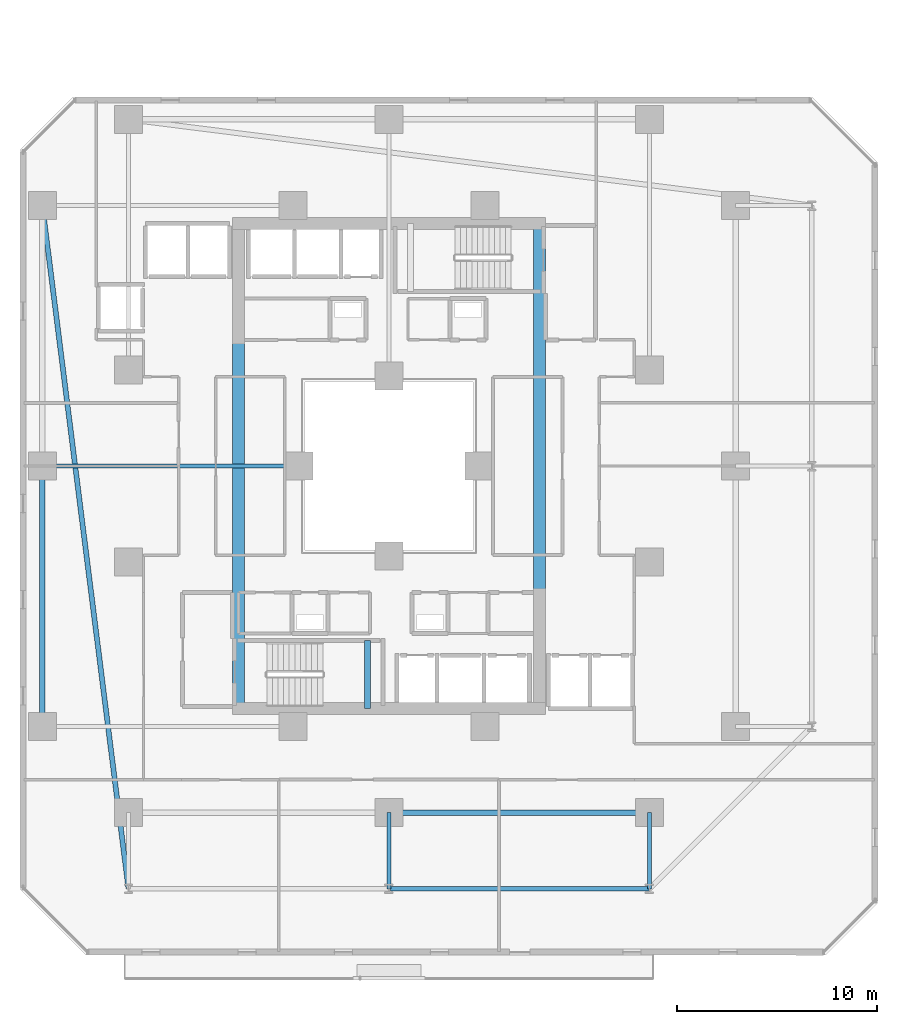
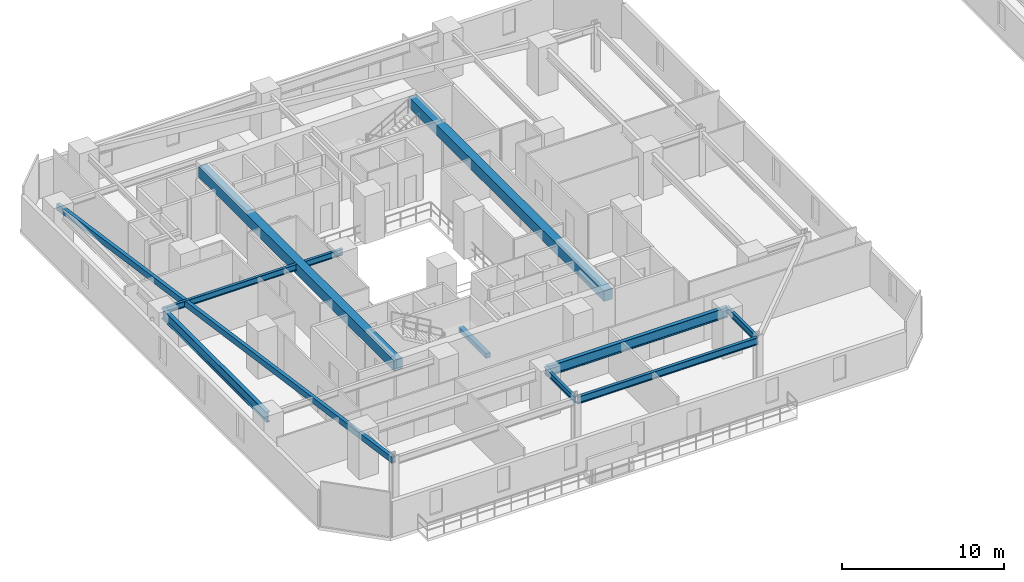
# One storey, part 4 of 34: 10 beams.
"""IFC4 building model written with IfcOpenShell, lengths in metres."""

from ifc_helpers import new_model, si_unit, direction, frame, origin, origin_2d, place, context, subcontext, project, spatial, rectangle, hollow_rectangle, i_section, extrude, material, material_profile, profile_set, type_object, element, save


model = new_model("IFC4")

# Units and contexts
model_context = context("Model", 3, precision=1e-05, world=origin(), true_north=direction((0.0, 1.0)))
body_context = subcontext(model_context, "Body", "Model", "MODEL_VIEW")
ifc_project = project(units=[si_unit("LENGTHUNIT", "METRE"), si_unit("AREAUNIT", "SQUARE_METRE"), si_unit("VOLUMEUNIT", "CUBIC_METRE"), si_unit("PLANEANGLEUNIT", "RADIAN"), si_unit("MASSUNIT", "GRAM", prefix="KILO")], contexts=[model_context])

# Site, building, storey
site_placement = place(None, origin())
site = spatial("IfcSite", under=ifc_project, at=site_placement, CompositionType="ELEMENT")
building_placement = place(site_placement, origin())
building = spatial("IfcBuilding", under=site, at=building_placement, Name="Thornwick Lancets Civic Towers", CompositionType="ELEMENT")
storey_placement = place(building_placement, frame((0.0, 0.0, 60.89990234375)))
storey = spatial("IfcBuildingStorey", under=building, at=storey_placement, Name="L15", CompositionType="ELEMENT", Elevation=60.89990234375)

# Beams
ifc_material_1 = material(Name="Concrete C60/75", Category="concrete")
ifc_material_profile_1 = material_profile(ifc_material_1, rectangle(XDim=0.60009765625, YDim=0.800048828125, at=origin_2d()), Name="RC 600x800")
ifc_profile_set_1 = profile_set([ifc_material_profile_1], Name="Concrete C60/75")
beam_type_1 = type_object("IfcBeamType", Name="BM_COUP_RC800", PredefinedType="BEAM", material=ifc_profile_set_1)
for number, where, z_axis, x_axis, name in (
    (1, (33.0, 14.89990234375, 2.960205078125), (0.0, 1.0, 0.0), (-1.0, 0.0, 0.0), "CB-L15-A1"),
    (2, (18.0, 14.89990234375, 2.960205078125), (0.0, 1.0, 0.0), (-1.0, 0.0, 0.0), "CB-L15-A2"),
):
    element("IfcBeam", number, at=place(storey_placement, frame(where, z_axis=z_axis, x_axis=x_axis)), inside=storey, type_object=beam_type_1, Name=name, PredefinedType="BEAM", context=body_context, shape_type="SweptSolid", body=[
        extrude(rectangle(XDim=0.60009765625, YDim=0.800048828125, at=origin_2d()), origin(), (0.0, 0.0, 1.0), 24.2001953125),
    ])
ifc_material_2 = material(Name="Steel S355JR", Category="steel")
ifc_material_profile_2 = material_profile(ifc_material_2, i_section(OverallWidth=0.2119140625, OverallDepth=0.54443359375, WebThickness=0.0126953125, FlangeThickness=0.021240234375, FilletRadius=0.0126953125, at=origin_2d()), Name="UKB 533x210x122")
ifc_profile_set_2 = profile_set([ifc_material_profile_2], Name="Steel S355JR")
beam_type_2 = type_object("IfcBeamType", Name="BM_EDGE_533_122", PredefinedType="SPANDREL", material=ifc_profile_set_2)
beam_1_placement = place(storey_placement, frame((25.580078125, 5.89990234375, 3.087890625), z_axis=(1.0, 0.0, 0.0), x_axis=(0.0, 1.0, 0.0)))
element("IfcBeam", 3, at=beam_1_placement, inside=storey, type_object=beam_type_2, Name="BM-EDGE-L15-A-S0-2", PredefinedType="SPANDREL", context=body_context, shape_type="SweptSolid", body=[
    extrude(i_section(OverallWidth=0.2119140625, OverallDepth=0.54443359375, WebThickness=0.0126953125, FlangeThickness=0.021240234375, FilletRadius=0.0126953125, at=origin_2d()), origin(), (0.0, 0.0, 1.0), 12.919921875),
])
ifc_material_profile_3 = material_profile(ifc_material_2, i_section(OverallWidth=0.26806640625, OverallDepth=0.769775390625, WebThickness=0.015625, FlangeThickness=0.025390625, FilletRadius=0.0166015625, at=origin_2d()), Name="UKB 762x267x197")
ifc_profile_set_3 = profile_set([ifc_material_profile_3], Name="Steel S355JR")
beam_type_3 = type_object("IfcBeamType", Name="BM_GIRD_762_197", PredefinedType="BEAM", material=ifc_profile_set_3)
beam_2_placement = place(storey_placement, frame((25.580078125, 9.699951171875, 2.97509765625), z_axis=(1.0, 0.0, 0.0), x_axis=(0.0, 1.0, 0.0)))
element("IfcBeam", 4, at=beam_2_placement, inside=storey, type_object=beam_type_3, Name="BM-SPINE-L15-A-1-2", PredefinedType="BEAM", context=body_context, shape_type="SweptSolid", body=[
    extrude(i_section(OverallWidth=0.26806640625, OverallDepth=0.769775390625, WebThickness=0.015625, FlangeThickness=0.025390625, FilletRadius=0.0166015625, at=origin_2d()), origin(), (0.0, 0.0, 1.0), 12.919921875),
])
beam_3_placement = place(storey_placement, frame((8.199951171875, 14.0, 2.97509765625), z_axis=(0.0, 1.0, 0.0), x_axis=(-1.0, 0.0, 0.0)))
element("IfcBeam", 5, at=beam_3_placement, inside=storey, type_object=beam_type_3, Name="BM-SPINE-L15-A-9-10", PredefinedType="BEAM", context=body_context, shape_type="SweptSolid", body=[
    extrude(i_section(OverallWidth=0.26806640625, OverallDepth=0.769775390625, WebThickness=0.015625, FlangeThickness=0.025390625, FilletRadius=0.0166015625, at=origin_2d()), origin(), (0.0, 0.0, 1.0), 13.0),
])
ifc_material_profile_4 = material_profile(ifc_material_2, i_section(OverallWidth=0.19287109375, OverallDepth=0.46728515625, WebThickness=0.011474609375, FlangeThickness=0.01953125, FilletRadius=0.01025390625, at=origin_2d()), Name="UKB 457x191x98")
ifc_profile_set_4 = profile_set([ifc_material_profile_4], Name="Steel S355JR")
beam_type_4 = type_object("IfcBeamType", Name="BM_JOIST_457_98", PredefinedType="JOIST", material=ifc_profile_set_4)
for number, where, z_axis, x_axis, name in (
    (6, (25.5, 9.699951171875, 3.12646484375), (0.0, -1.0, 0.0), (1.0, 0.0, 0.0), "BM-RAD-L15-A02"),
    (7, (38.5, 9.699951171875, 3.12646484375), (0.0, -1.0, 0.0), (1.0, 0.0, 0.0), "BM-RAD-L15-A03"),
):
    element("IfcBeam", number, at=place(storey_placement, frame(where, z_axis=z_axis, x_axis=x_axis)), inside=storey, type_object=beam_type_4, Name=name, PredefinedType="JOIST", context=body_context, shape_type="SweptSolid", body=[
        extrude(i_section(OverallWidth=0.19287109375, OverallDepth=0.46728515625, WebThickness=0.011474609375, FlangeThickness=0.01953125, FilletRadius=0.01025390625, at=origin_2d()), origin(), (0.0, 0.0, 1.0), 3.800048828125),
    ])
beam_4_placement = place(storey_placement, frame((21.0, 27.0, 3.12646484375), z_axis=(-1.0, 0.0, 0.0), x_axis=(0.0, -1.0, 0.0)))
element("IfcBeam", 8, at=beam_4_placement, inside=storey, type_object=beam_type_4, Name="BM-RADIN-L15-A11", PredefinedType="JOIST", context=body_context, shape_type="SweptSolid", body=[
    extrude(i_section(OverallWidth=0.19287109375, OverallDepth=0.46728515625, WebThickness=0.011474609375, FlangeThickness=0.01953125, FilletRadius=0.01025390625, at=origin_2d()), origin(), (0.0, 0.0, 1.0), 12.800048828125),
])
ifc_material_profile_5 = material_profile(ifc_material_2, hollow_rectangle(XDim=0.25, YDim=0.449951171875, WallThickness=0.01611328125, at=origin_2d()), Name="RHS 450x250x16")
ifc_profile_set_5 = profile_set([ifc_material_profile_5], Name="Steel S355JR")
beam_type_5 = type_object("IfcBeamType", Name="BM_RING_RHS450", PredefinedType="BEAM", material=ifc_profile_set_5)
beam_5_placement = place(storey_placement, frame((8.199951171875, 40.0, 3.135009765625), z_axis=(0.12510998836, -0.992142878225, 0.0), x_axis=(0.992142878225, 0.12510998836, 0.0)))
element("IfcBeam", 9, at=beam_5_placement, inside=storey, type_object=beam_type_5, Name="BM-CHAMF-L15-A-C3", PredefinedType="BEAM", context=body_context, shape_type="SweptSolid", body=[
    extrude(hollow_rectangle(XDim=0.25, YDim=0.449951171875, WallThickness=0.01611328125, at=origin_2d()), origin(), (0.0, 0.0, 1.0), 34.3701171875),
])
ifc_material_3 = material(Name="Concrete C40/50", Category="concrete")
ifc_material_profile_6 = material_profile(ifc_material_3, rectangle(XDim=0.300048828125, YDim=0.35009765625, at=origin_2d()), Name="RC 300x350")
ifc_profile_set_6 = profile_set([ifc_material_profile_6], Name="Concrete C40/50")
beam_type_6 = type_object("IfcBeamType", Name="BM_STAIR_LDG", PredefinedType="BEAM", material=ifc_profile_set_6)
beam_6_placement = place(storey_placement, frame((24.43505859375, 14.89990234375, 1.378173828125), z_axis=(0.0, 1.0, 0.0), x_axis=(-1.0, 0.0, 0.0)))
element("IfcBeam", 10, at=beam_6_placement, inside=storey, type_object=beam_type_6, Name="L15 ST-A1 Landing Support Beam 1", PredefinedType="BEAM", context=body_context, shape_type="SweptSolid", body=[
    extrude(rectangle(XDim=0.300048828125, YDim=0.35009765625, at=origin_2d()), origin(), (0.0, 0.0, 1.0), 3.400146484375),
])

save(model, "model.ifc")
